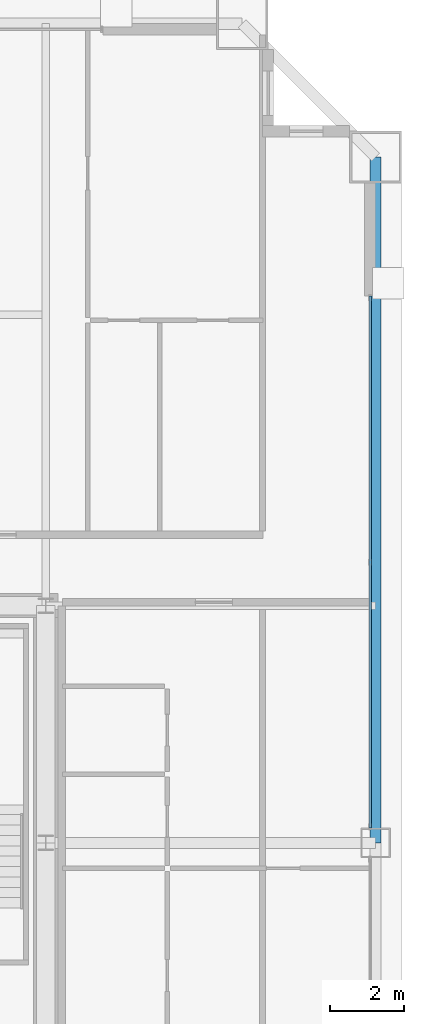
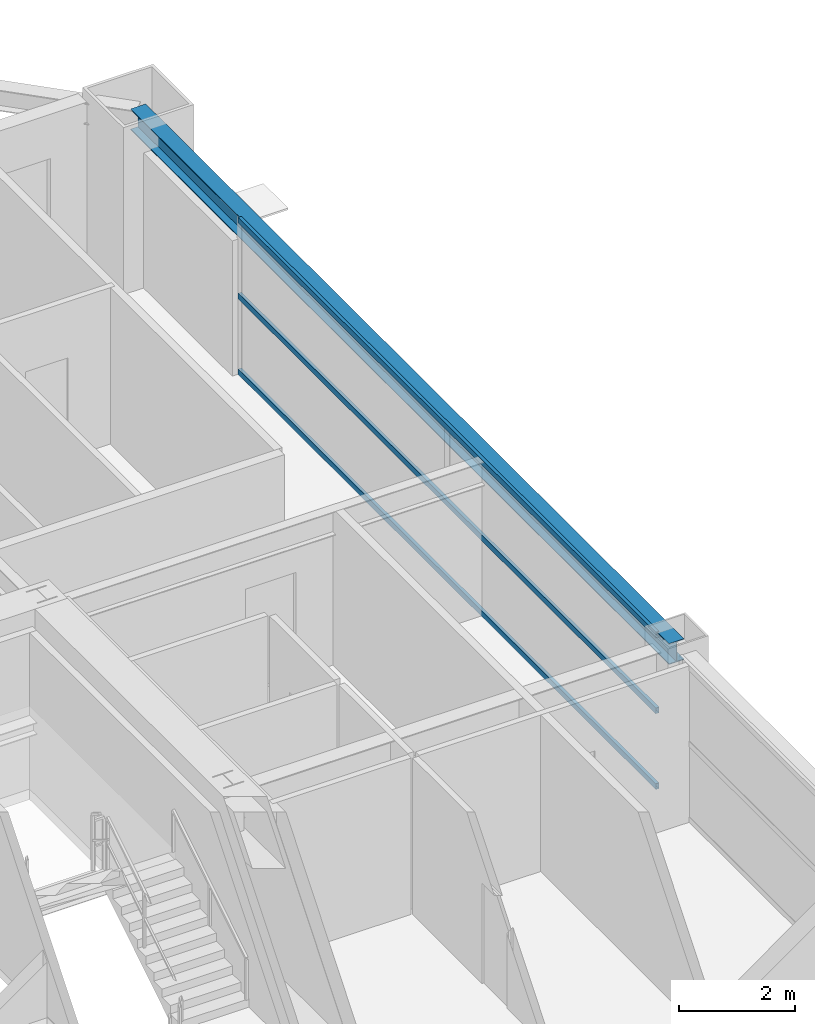
# One storey, part 22 of 38: 3 members, 1 beam, 1 element without a shape of its own.
"""IFC4 building model written with IfcOpenShell, lengths in metres."""

from ifc_helpers import new_model, si_unit, direction, frame, origin, origin_2d, place, context, subcontext, project, spatial, hollow_rectangle, i_section, extrude, source, transform, mapped, material, layer, layer_set, material_profile, profile_set, type_object, element, aggregate, save


model = new_model("IFC4")

# Units and contexts
model_context = context("Model", 3, precision=1e-05, world=origin(), true_north=direction((0.0, 1.0)))
body_context = subcontext(model_context, "Body", "Model", "MODEL_VIEW")
ifc_project = project(units=[si_unit("LENGTHUNIT", "METRE"), si_unit("AREAUNIT", "SQUARE_METRE"), si_unit("VOLUMEUNIT", "CUBIC_METRE"), si_unit("PLANEANGLEUNIT", "RADIAN"), si_unit("MASSUNIT", "GRAM", prefix="KILO"), si_unit("THERMODYNAMICTEMPERATUREUNIT", "KELVIN"), si_unit("POWERUNIT", "WATT")], contexts=[model_context])

# Site, building, storey
site_placement = place(None, origin())
site = spatial("IfcSite", under=ifc_project, at=site_placement, CompositionType="ELEMENT")
building_placement = place(site_placement, origin())
building = spatial("IfcBuilding", under=site, at=building_placement, Name="Yuzanri Waterfront Tower", CompositionType="ELEMENT")
storey_placement = place(building_placement, frame((0.0, 0.0, 195.0)))
storey = spatial("IfcBuildingStorey", under=building, at=storey_placement, Name="L51", CompositionType="ELEMENT", Elevation=195.0)

# Beam
ifc_material_1 = material(Name="Steel Q355B", Category="steel")
ifc_material_profile_1 = material_profile(ifc_material_1, i_section(OverallWidth=0.300048828125, OverallDepth=0.43994140625, WebThickness=0.010986328125, FlangeThickness=0.01806640625, at=origin_2d()), Name="HM 440x300x11x18")
ifc_profile_set_1 = profile_set([ifc_material_profile_1], Name="Steel Q355B")
beam_type = type_object("IfcBeamType", Name="Perimeter Spandrel Q355B HM 440x300", PredefinedType="SPANDREL", material=ifc_profile_set_1)
shared_shape_1 = source(origin(), body_context, "Body", "SweptSolid", [
    extrude(i_section(OverallWidth=0.300048828125, OverallDepth=0.43994140625, WebThickness=0.010986328125, FlangeThickness=0.01806640625, at=origin_2d()), origin(), (0.0, 0.0, 1.0), 18.5),
])
beam_placement = place(storey_placement, frame((59.10009765625, 25.800048828125, 3.06005859375), z_axis=(0.0, 1.0, 0.0), x_axis=(-1.0, 0.0, 0.0)))
element("IfcBeam", 1, at=beam_placement, inside=storey, type_object=beam_type, Name="L51 Perimeter Spandrel E2-E3", PredefinedType="SPANDREL", context=body_context, shape_type="MappedRepresentation", body=[
    mapped(shared_shape_1, transform((0.0, 0.0, 0.0), scale=1.0)),
])

# Curtain wall, members
ifc_material_2 = material(Name="Anodized Architectural Bronze", Category="metal")
ifc_layer = layer(ifc_material_2, 0.159912109375)
ifc_layer_set = layer_set([ifc_layer], Name="Anodized Architectural Bronze")
curtain_wall_type = type_object("IfcCurtainWallType", Name="Anodized Bronze Mid-Rise Residential Acoustic Unitized Curtain Wall 7200", PredefinedType="NOTDEFINED", material=ifc_layer_set)
curtain_wall_placement = place(storey_placement, origin())
curtain_wall = element("IfcCurtainWall", 2, at=curtain_wall_placement, inside=storey, type_object=curtain_wall_type, Name="L51 Curtain Wall CW-L51-ER", PredefinedType="NOTDEFINED")
ifc_material_3 = material(Name="Anodized Architectural Bronze", Category="metal")
ifc_material_profile_2 = material_profile(ifc_material_3, hollow_rectangle(XDim=0.06494140625, YDim=0.1201171875, WallThickness=0.00341796875, at=origin_2d()), Name="CWT 65x120")
ifc_profile_set_2 = profile_set([ifc_material_profile_2], Name="Anodized Architectural Bronze")
member_type = type_object("IfcMemberType", Name="Anodized Bronze Secondary Curtain-Wall Transom 65x120", PredefinedType="USERDEFINED", material=ifc_profile_set_2)
shared_shape_2 = source(origin(), body_context, "Body", "SweptSolid", [
    extrude(hollow_rectangle(XDim=0.06494140625, YDim=0.1201171875, WallThickness=0.00341796875, at=origin_2d()), origin(), (0.0, 0.0, 1.0), 14.35009765625),
])
member_1_placement = place(storey_placement, frame((58.949951171875, 26.199951171875, 0.050048828125), z_axis=(0.0, 1.0, 0.0), x_axis=(-1.0, 0.0, 0.0)))
member_1 = element("IfcMember", 3, at=member_1_placement, type_object=member_type, Name="CW-L51-ER Transom 1", ObjectType="TRANSOM", PredefinedType="USERDEFINED", context=body_context, shape_type="MappedRepresentation", body=[
    mapped(shared_shape_2, transform((0.0, 0.0, 0.0), scale=1.0)),
])
member_2_placement = place(storey_placement, frame((58.949951171875, 26.199951171875, 1.639892578125), z_axis=(0.0, 1.0, 0.0), x_axis=(-1.0, 0.0, 0.0)))
member_2 = element("IfcMember", 4, at=member_2_placement, type_object=member_type, Name="CW-L51-ER Transom 2", ObjectType="TRANSOM", PredefinedType="USERDEFINED", context=body_context, shape_type="MappedRepresentation", body=[
    mapped(shared_shape_2, transform((0.0, 0.0, 0.0), scale=1.0)),
])
member_3_placement = place(storey_placement, frame((58.949951171875, 26.199951171875, 3.22998046875), z_axis=(0.0, 1.0, 0.0), x_axis=(-1.0, 0.0, 0.0)))
member_3 = element("IfcMember", 5, at=member_3_placement, type_object=member_type, Name="CW-L51-ER Transom 3", ObjectType="TRANSOM", PredefinedType="USERDEFINED", context=body_context, shape_type="MappedRepresentation", body=[
    mapped(shared_shape_2, transform((0.0, 0.0, 0.0), scale=1.0)),
])
aggregate(curtain_wall, [member_1, member_2, member_3])

save(model, "model.ifc")
